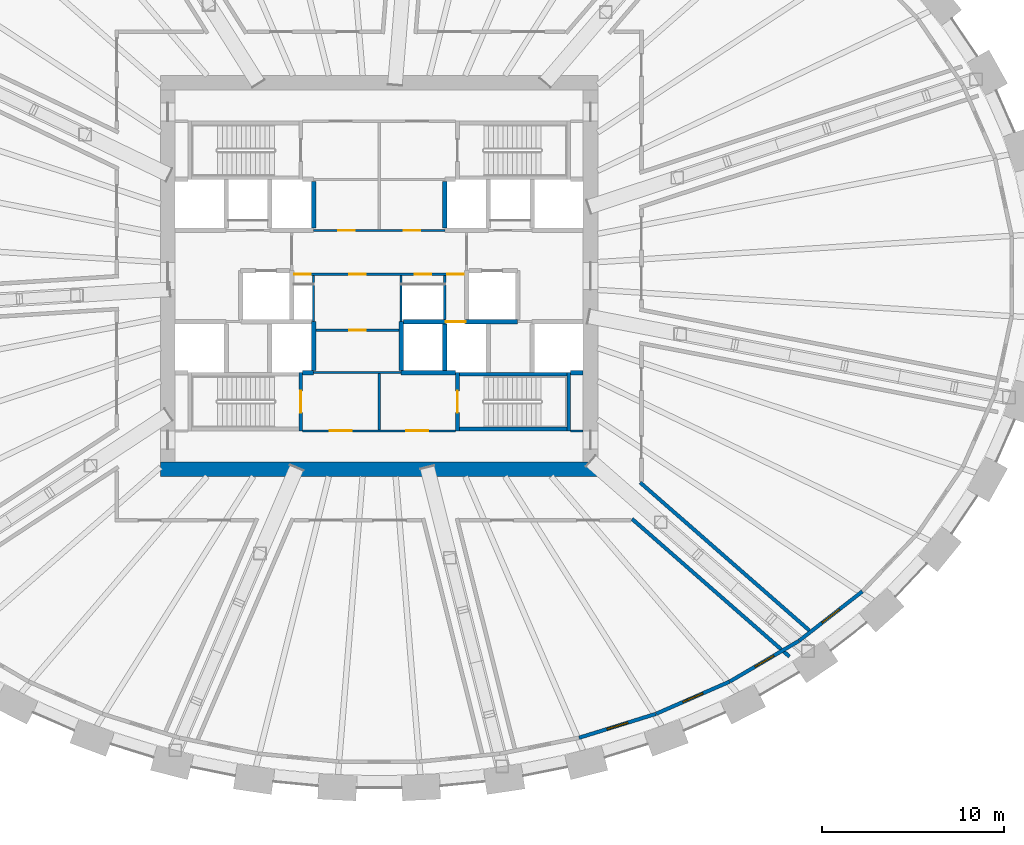
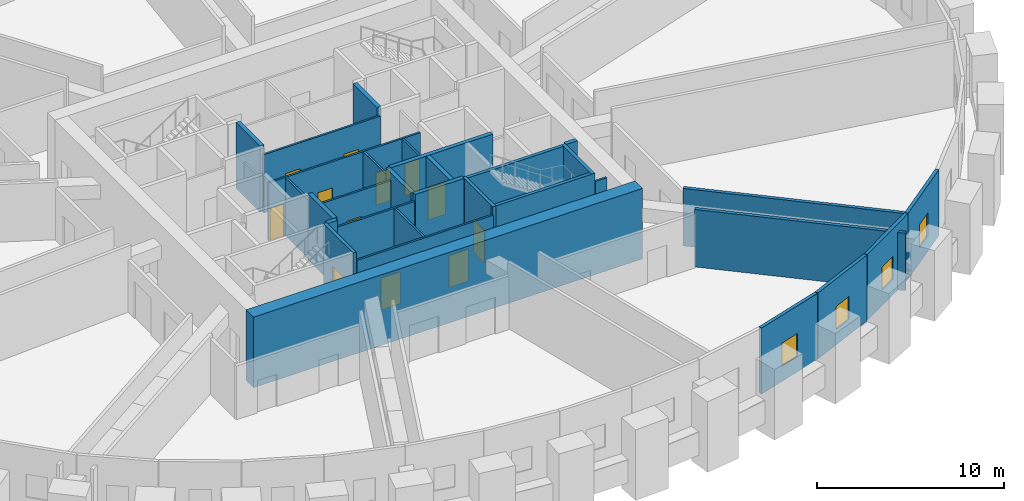
# One storey, part 8 of 13: 31 walls, 12 doors, 4 windows, 16 openings.
"""IFC4 building model written with IfcOpenShell, lengths in metres."""

from ifc_helpers import new_model, si_unit, direction, frame, frame_2d, origin, place, context, subcontext, project, spatial, rectangle, extrude, source, transform, mapped, material, layer, layer_set, type_object, element, fill, save


model = new_model("IFC4")

# Units and contexts
model_context = context("Model", 3, precision=1e-05, world=origin(), true_north=direction((0.0, 1.0)))
body_context = subcontext(model_context, "Body", "Model", "MODEL_VIEW")
ifc_project = project(units=[si_unit("LENGTHUNIT", "METRE"), si_unit("AREAUNIT", "SQUARE_METRE"), si_unit("VOLUMEUNIT", "CUBIC_METRE"), si_unit("PLANEANGLEUNIT", "RADIAN"), si_unit("MASSUNIT", "GRAM", prefix="KILO")], contexts=[model_context])

# Site, building, storey
site_placement = place(None, origin())
site = spatial("IfcSite", under=ifc_project, at=site_placement, CompositionType="ELEMENT")
building_placement = place(site_placement, origin())
building = spatial("IfcBuilding", under=site, at=building_placement, Name="Embergate Tower", CompositionType="ELEMENT")
storey_placement = place(building_placement, frame((0.0, 0.0, 195.0)))
storey = spatial("IfcBuildingStorey", under=building, at=storey_placement, Name="L44", CompositionType="ELEMENT", Elevation=195.0)

# Wall
ifc_material_1 = material(Name="Concrete C70", Category="concrete")
ifc_layer_1 = layer(ifc_material_1, 0.800048828125)
ifc_layer_set_1 = layer_set([ifc_layer_1], Name="Concrete C70")
wall_type_1 = type_object("IfcWallType", Name="Core outer wall C70 800", PredefinedType="SHEAR", material=ifc_layer_set_1)
shared_shape_1 = source(origin(), body_context, "Body", "SweptSolid", [
    extrude(rectangle(XDim=24.0, YDim=0.800048828125, at=frame_2d((12.0, 0.0))), origin(), (0.0, 0.0, 1.0), 4.60009765625),
])
wall_1_placement = place(storey_placement, frame((-12.0, -10.60009765625, -0.300048828125), z_axis=(0.0, 0.0, 1.0), x_axis=(1.0, 0.0, 0.0)))
element("IfcWall", 1, at=wall_1_placement, inside=storey, type_object=wall_type_1, Name="CW-L44-S", PredefinedType="SHEAR", context=body_context, shape_type="MappedRepresentation", body=[
    mapped(shared_shape_1, transform((0.0, 0.0, 0.0))),
])

# Wall, opening, window
ifc_material_2 = material(Name="Terracotta louvre cladding on insulated backing", Category="masonry")
ifc_layer_2 = layer(ifc_material_2, 0.199951171875)
ifc_layer_set_2 = layer_set([ifc_layer_2], Name="Terracotta louvre cladding on insulated backing")
wall_type_2 = type_object("IfcWallType", Name="Terracotta louvre wall", PredefinedType="SOLIDWALL", material=ifc_layer_set_2)
shared_shape_2 = source(origin(), body_context, "Body", "SweptSolid", [
    extrude(rectangle(XDim=4.391845703125, YDim=0.199951171875, at=frame_2d((2.19580078125, 0.0))), origin(), (0.0, 0.0, 1.0), 4.300048828125),
])
wall_2_placement = place(storey_placement, frame((26.52197265625, -17.316162109375, 0.0), z_axis=(0.0, 0.0, 1.0), x_axis=(-0.788318413973, -0.615267485075, 0.0)))
wall_2 = element("IfcWall", 2, at=wall_2_placement, inside=storey, type_object=wall_type_2, Name="Louvre wall 39", PredefinedType="SOLIDWALL", context=body_context, shape_type="MappedRepresentation", body=[
    mapped(shared_shape_2, transform((0.0, 0.0, 0.0))),
])
shared_shape_3 = source(origin(), body_context, "Body", "SweptSolid", [
    extrude(rectangle(XDim=1.199951171875, YDim=1.5, at=frame_2d((0.60009765625, 0.75))), frame((0.0, 0.10986328125, 0.0), z_axis=(0.0, -1.0, 0.0), x_axis=(1.0, 0.0, 0.0)), (0.0, 0.0, 1.0), 0.219970703125),
])
opening_1_placement = place(wall_2_placement, frame((1.595947265625, 0.0, 1.0)))
opening_1 = element("IfcOpeningElement", 3, at=opening_1_placement, cuts=wall_2, Name="Opening RW", PredefinedType="OPENING", context=body_context, shape_type="MappedRepresentation", body=[
    mapped(shared_shape_3, transform((0.0, 0.0, 0.0))),
])
ifc_material_3 = material(Name="Aluminium, thermally broken, triple glazed", Category="aluminium")
window_type = type_object("IfcWindowType", Name="Refuge operable window", PartitioningType="SINGLE_PANEL", PredefinedType="WINDOW", material=ifc_material_3)
shared_shape_4 = source(origin(), body_context, "Body", "SweptSolid", [
    extrude(rectangle(XDim=1.199951171875, YDim=1.5, at=frame_2d((0.60009765625, 0.75))), frame((0.0, 0.030029296875, 0.0), z_axis=(0.0, -1.0, 0.0), x_axis=(1.0, 0.0, 0.0)), (0.0, 0.0, 1.0), 0.06005859375),
])
window_1_placement = place(opening_1_placement, origin())
window_1 = element("IfcWindow", 4, at=window_1_placement, inside=storey, type_object=window_type, Name="Refuge window 39", OverallHeight=1.5, OverallWidth=1.199951171875, PartitioningType="SINGLE_PANEL", PredefinedType="WINDOW", context=body_context, shape_type="MappedRepresentation", body=[
    mapped(shared_shape_4, transform((0.0, 0.0, 0.0))),
])
fill(opening_1, window_1)

shared_shape_5 = source(origin(), body_context, "Body", "SweptSolid", [
    extrude(rectangle(XDim=4.398193359375, YDim=0.199951171875, at=frame_2d((2.19921875, 0.0))), origin(), (0.0, 0.0, 1.0), 4.300048828125),
])
wall_3_placement = place(storey_placement, frame((23.043212890625, -20.029541015625, 0.0), z_axis=(0.0, 0.0, 1.0), x_axis=(-0.862038363545, -0.506843032681, 0.0)))
wall_3 = element("IfcWall", 5, at=wall_3_placement, inside=storey, type_object=wall_type_2, Name="Louvre wall 38", PredefinedType="SOLIDWALL", context=body_context, shape_type="MappedRepresentation", body=[
    mapped(shared_shape_5, transform((0.0, 0.0, 0.0))),
])
opening_2_placement = place(wall_3_placement, frame((1.59912109375, 0.0, 1.0)))
opening_2 = element("IfcOpeningElement", 6, at=opening_2_placement, cuts=wall_3, Name="Opening RW", PredefinedType="OPENING", context=body_context, shape_type="MappedRepresentation", body=[
    mapped(shared_shape_3, transform((0.0, 0.0, 0.0))),
])
window_2_placement = place(opening_2_placement, origin())
window_2 = element("IfcWindow", 7, at=window_2_placement, inside=storey, type_object=window_type, Name="Refuge window 38", OverallHeight=1.5, OverallWidth=1.199951171875, PartitioningType="SINGLE_PANEL", PredefinedType="WINDOW", context=body_context, shape_type="MappedRepresentation", body=[
    mapped(shared_shape_4, transform((0.0, 0.0, 0.0))),
])
fill(opening_2, window_2)

shared_shape_6 = source(origin(), body_context, "Body", "SweptSolid", [
    extrude(rectangle(XDim=4.402587890625, YDim=0.199951171875, at=frame_2d((2.201171875, 0.0))), origin(), (0.0, 0.0, 1.0), 4.300048828125),
])
wall_4_placement = place(storey_placement, frame((19.23388671875, -22.267822265625, 0.0), z_axis=(0.0, 0.0, 1.0), x_axis=(-0.916226049161, -0.400661736181, 0.0)))
wall_4 = element("IfcWall", 8, at=wall_4_placement, inside=storey, type_object=wall_type_2, Name="Louvre wall 37", PredefinedType="SOLIDWALL", context=body_context, shape_type="MappedRepresentation", body=[
    mapped(shared_shape_6, transform((0.0, 0.0, 0.0))),
])
opening_3_placement = place(wall_4_placement, frame((1.601318359375, 0.0, 1.0)))
opening_3 = element("IfcOpeningElement", 9, at=opening_3_placement, cuts=wall_4, Name="Opening RW", PredefinedType="OPENING", context=body_context, shape_type="MappedRepresentation", body=[
    mapped(shared_shape_3, transform((0.0, 0.0, 0.0))),
])
window_3_placement = place(opening_3_placement, origin())
window_3 = element("IfcWindow", 10, at=window_3_placement, inside=storey, type_object=window_type, Name="Refuge window 37", OverallHeight=1.5, OverallWidth=1.199951171875, PartitioningType="SINGLE_PANEL", PredefinedType="WINDOW", context=body_context, shape_type="MappedRepresentation", body=[
    mapped(shared_shape_4, transform((0.0, 0.0, 0.0))),
])
fill(opening_3, window_3)

shared_shape_7 = source(origin(), body_context, "Body", "SweptSolid", [
    extrude(rectangle(XDim=4.406005859375, YDim=0.199951171875, at=frame_2d((2.203125, 0.0))), origin(), (0.0, 0.0, 1.0), 4.300048828125),
])
wall_5_placement = place(storey_placement, frame((15.181396484375, -24.038818359375, 0.0), z_axis=(0.0, 0.0, 1.0), x_axis=(-0.954774310251, -0.297331492589, 0.0)))
wall_5 = element("IfcWall", 11, at=wall_5_placement, inside=storey, type_object=wall_type_2, Name="Louvre wall 36", PredefinedType="SOLIDWALL", context=body_context, shape_type="MappedRepresentation", body=[
    mapped(shared_shape_7, transform((0.0, 0.0, 0.0))),
])
opening_4_placement = place(wall_5_placement, frame((1.60302734375, 0.0, 1.0)))
opening_4 = element("IfcOpeningElement", 12, at=opening_4_placement, cuts=wall_5, Name="Opening RW", PredefinedType="OPENING", context=body_context, shape_type="MappedRepresentation", body=[
    mapped(shared_shape_3, transform((0.0, 0.0, 0.0))),
])
window_4_placement = place(opening_4_placement, origin())
window_4 = element("IfcWindow", 13, at=window_4_placement, inside=storey, type_object=window_type, Name="Refuge window 36", OverallHeight=1.5, OverallWidth=1.199951171875, PartitioningType="SINGLE_PANEL", PredefinedType="WINDOW", context=body_context, shape_type="MappedRepresentation", body=[
    mapped(shared_shape_4, transform((0.0, 0.0, 0.0))),
])
fill(opening_4, window_4)

# Walls
ifc_material_4 = material(Name="Concrete C50", Category="concrete")
ifc_layer_3 = layer(ifc_material_4, 0.25)
ifc_layer_set_3 = layer_set([ifc_layer_3], Name="Concrete C50")
wall_type_3 = type_object("IfcWallType", Name="Hoistway wall reinforced concrete 250", PredefinedType="SHEAR", material=ifc_layer_set_3)
shared_shape_8 = source(origin(), body_context, "Body", "SweptSolid", [
    extrude(rectangle(XDim=2.675048828125, YDim=0.25, at=frame_2d((1.33740234375, 0.0))), origin(), (0.0, 0.0, 1.0), 4.300048828125),
])
for number, where, z_axis, x_axis, name in (
    (14, (-3.60009765625, -5.175048828125, 0.0), (0.0, 0.0, 1.0), (0.0, 1.0, 0.0), "HW-1 wall"),
    (15, (1.199951171875, -2.5, 0.0), (0.0, 0.0, 1.0), (0.0, -1.0, 0.0), "HW-1 wall"),
):
    element("IfcWall", number, at=place(storey_placement, frame(where, z_axis=z_axis, x_axis=x_axis)), inside=storey, type_object=wall_type_3, Name=name, PredefinedType="SHEAR", context=body_context, shape_type="MappedRepresentation", body=[
        mapped(shared_shape_8, transform((0.0, 0.0, 0.0))),
    ])
ifc_layer_4 = layer(ifc_material_4, 0.199951171875)
ifc_layer_set_4 = layer_set([ifc_layer_4], Name="Concrete C50")
wall_type_4 = type_object("IfcWallType", Name="Stair enclosure wall reinforced concrete 250", PredefinedType="SHEAR", material=ifc_layer_set_4)
shared_shape_9 = source(origin(), body_context, "Body", "SweptSolid", [
    extrude(rectangle(XDim=6.300048828125, YDim=0.199951171875, at=frame_2d((3.14990234375, 0.0))), origin(), (0.0, 0.0, 1.0), 4.300048828125),
])
for number, where, z_axis, x_axis, name in (
    (16, (4.199951171875, -5.39990234375, 0.0), (0.0, 0.0, 1.0), (1.0, 0.0, 0.0), "SE-1 wall"),
    (17, (4.199951171875, -8.39990234375, 0.0), (0.0, 0.0, 1.0), (1.0, 0.0, 0.0), "SE-1 wall"),
):
    element("IfcWall", number, at=place(storey_placement, frame(where, z_axis=z_axis, x_axis=x_axis)), inside=storey, type_object=wall_type_4, Name=name, PredefinedType="SHEAR", context=body_context, shape_type="MappedRepresentation", body=[
        mapped(shared_shape_9, transform((0.0, 0.0, 0.0))),
    ])
shared_shape_10 = source(origin(), body_context, "Body", "SweptSolid", [
    extrude(rectangle(XDim=2.550048828125, YDim=0.25, at=frame_2d((1.27490234375, 0.0))), origin(), (0.0, 0.0, 1.0), 4.300048828125),
])
for number, where, z_axis, x_axis, name in (
    (18, (-3.60009765625, 2.625, 0.0), (0.0, 0.0, 1.0), (0.0, 1.0, 0.0), "HW-1 wall"),
    (19, (3.60009765625, 5.175048828125, 0.0), (0.0, 0.0, 1.0), (0.0, -1.0, 0.0), "HW-1 wall"),
    (20, (3.60009765625, -5.175048828125, 0.0), (0.0, 0.0, 1.0), (0.0, 1.0, 0.0), "HW-1 wall"),
):
    element("IfcWall", number, at=place(storey_placement, frame(where, z_axis=z_axis, x_axis=x_axis)), inside=storey, type_object=wall_type_3, Name=name, PredefinedType="SHEAR", context=body_context, shape_type="MappedRepresentation", body=[
        mapped(shared_shape_10, transform((0.0, 0.0, 0.0))),
    ])

# Wall, opening, door
shared_shape_11 = source(origin(), body_context, "Body", "SweptSolid", [
    extrude(rectangle(XDim=3.199951171875, YDim=0.199951171875, at=frame_2d((1.60009765625, 0.0))), origin(), (0.0, 0.0, 1.0), 4.300048828125),
])
wall_6_placement = place(storey_placement, frame((-4.300048828125, -8.5, 0.0), z_axis=(0.0, 0.0, 1.0), x_axis=(0.0, 1.0, 0.0)))
wall_6 = element("IfcWall", 21, at=wall_6_placement, inside=storey, type_object=wall_type_4, Name="SE-1 wall", PredefinedType="SHEAR", context=body_context, shape_type="MappedRepresentation", body=[
    mapped(shared_shape_11, transform((0.0, 0.0, 0.0))),
])
shared_shape_12 = source(origin(), body_context, "Body", "SweptSolid", [
    extrude(rectangle(XDim=1.199951171875, YDim=2.10009765625, at=frame_2d((0.60009765625, 1.050048828125))), frame((0.0, 0.10986328125, 0.0), z_axis=(0.0, -1.0, 0.0), x_axis=(1.0, 0.0, 0.0)), (0.0, 0.0, 1.0), 0.219970703125),
])
opening_5_placement = place(wall_6_placement, frame((1.0, 0.0, 0.0)))
opening_5 = element("IfcOpeningElement", 22, at=opening_5_placement, cuts=wall_6, Name="Opening IF-2", PredefinedType="OPENING", context=body_context, shape_type="MappedRepresentation", body=[
    mapped(shared_shape_12, transform((0.0, 0.0, 0.0))),
])
ifc_material_5 = material(Name="Stair enclosure door 1200")
door_type_1 = type_object("IfcDoorType", Name="Stair enclosure door 1200", OperationType="SINGLE_SWING_LEFT", PredefinedType="DOOR", material=ifc_material_5)
shared_shape_13 = source(origin(), body_context, "Body", "SweptSolid", [
    extrude(rectangle(XDim=1.199951171875, YDim=2.10009765625, at=frame_2d((0.60009765625, 1.050048828125))), frame((0.0, 0.02490234375, 0.0), z_axis=(0.0, -1.0, 0.0), x_axis=(1.0, 0.0, 0.0)), (0.0, 0.0, 1.0), 0.050048828125),
])
door_1_placement = place(opening_5_placement, origin())
door_1 = element("IfcDoor", 23, at=door_1_placement, inside=storey, type_object=door_type_1, Name="IF-2 door", OperationType="SINGLE_SWING_RIGHT", OverallHeight=2.10009765625, OverallWidth=1.199951171875, PredefinedType="DOOR", context=body_context, shape_type="MappedRepresentation", body=[
    mapped(shared_shape_13, transform((0.0, 0.0, 0.0))),
])
fill(opening_5, door_1)

wall_7_placement = place(storey_placement, frame((4.300048828125, -5.300048828125, 0.0), z_axis=(0.0, 0.0, 1.0), x_axis=(0.0, -1.0, 0.0)))
wall_7 = element("IfcWall", 24, at=wall_7_placement, inside=storey, type_object=wall_type_4, Name="SE-1 wall", PredefinedType="SHEAR", context=body_context, shape_type="MappedRepresentation", body=[
    mapped(shared_shape_11, transform((0.0, 0.0, 0.0))),
])
opening_6_placement = place(wall_7_placement, frame((1.0, 0.0, 0.0)))
opening_6 = element("IfcOpeningElement", 25, at=opening_6_placement, cuts=wall_7, Name="Opening IF-2", PredefinedType="OPENING", context=body_context, shape_type="MappedRepresentation", body=[
    mapped(shared_shape_12, transform((0.0, 0.0, 0.0))),
])
door_2_placement = place(opening_6_placement, origin())
door_2 = element("IfcDoor", 26, at=door_2_placement, inside=storey, type_object=door_type_1, Name="IF-2 door", OperationType="SINGLE_SWING_RIGHT", OverallHeight=2.10009765625, OverallWidth=1.199951171875, PredefinedType="DOOR", context=body_context, shape_type="MappedRepresentation", body=[
    mapped(shared_shape_13, transform((0.0, 0.0, 0.0))),
])
fill(opening_6, door_2)

# Wall, openings, doors
ifc_material_6 = material(Name="Core partition blockwork 120")
ifc_layer_5 = layer(ifc_material_6, 0.1201171875)
ifc_layer_set_5 = layer_set([ifc_layer_5], Name="Core partition blockwork 120")
wall_type_5 = type_object("IfcWallType", Name="Core partition blockwork 120", PredefinedType="PARTITIONING", material=ifc_layer_set_5)
shared_shape_14 = source(origin(), body_context, "Body", "SweptSolid", [
    extrude(rectangle(XDim=8.39990234375, YDim=0.1201171875, at=frame_2d((4.199951171875, 0.0))), origin(), (0.0, 0.0, 1.0), 3.800048828125),
])
wall_8_placement = place(storey_placement, frame((-4.199951171875, -8.5, 0.0), z_axis=(0.0, 0.0, 1.0), x_axis=(1.0, 0.0, 0.0)))
wall_8 = element("IfcWall", 27, at=wall_8_placement, inside=storey, type_object=wall_type_5, Name="IP-3 wall", PredefinedType="PARTITIONING", context=body_context, shape_type="MappedRepresentation", body=[
    mapped(shared_shape_14, transform((0.0, 0.0, 0.0))),
])
shared_shape_15 = source(origin(), body_context, "Body", "SweptSolid", [
    extrude(rectangle(XDim=1.199951171875, YDim=2.10009765625, at=frame_2d((0.60009765625, 1.050048828125))), frame((0.0, 0.070068359375, 0.0), z_axis=(0.0, -1.0, 0.0), x_axis=(1.0, 0.0, 0.0)), (0.0, 0.0, 1.0), 0.14013671875),
])
opening_7_placement = place(wall_8_placement, frame((1.5, 0.0, 0.0)))
opening_7 = element("IfcOpeningElement", 28, at=opening_7_placement, cuts=wall_8, Name="Opening IF-3f", PredefinedType="OPENING", context=body_context, shape_type="MappedRepresentation", body=[
    mapped(shared_shape_15, transform((0.0, 0.0, 0.0))),
])
opening_8_placement = place(wall_8_placement, frame((5.699951171875, 0.0, 0.0)))
opening_8 = element("IfcOpeningElement", 29, at=opening_8_placement, cuts=wall_8, Name="Opening IF-3f", PredefinedType="OPENING", context=body_context, shape_type="MappedRepresentation", body=[
    mapped(shared_shape_15, transform((0.0, 0.0, 0.0))),
])
ifc_material_7 = material(Name="Lobby fire door pair 1200")
door_type_2 = type_object("IfcDoorType", Name="Lobby fire door pair 1200", OperationType="DOUBLE_DOOR_SINGLE_SWING", PredefinedType="DOOR", material=ifc_material_7)
door_3_placement = place(opening_7_placement, origin())
door_3 = element("IfcDoor", 30, at=door_3_placement, inside=storey, type_object=door_type_2, Name="IF-3 door", OperationType="DOUBLE_DOOR_SINGLE_SWING", OverallHeight=2.10009765625, OverallWidth=1.199951171875, PredefinedType="DOOR", context=body_context, shape_type="MappedRepresentation", body=[
    mapped(shared_shape_13, transform((0.0, 0.0, 0.0))),
])
fill(opening_7, door_3)
door_4_placement = place(opening_8_placement, origin())
door_4 = element("IfcDoor", 31, at=door_4_placement, inside=storey, type_object=door_type_2, Name="IF-3 door", OperationType="DOUBLE_DOOR_SINGLE_SWING", OverallHeight=2.10009765625, OverallWidth=1.199951171875, PredefinedType="DOOR", context=body_context, shape_type="MappedRepresentation", body=[
    mapped(shared_shape_13, transform((0.0, 0.0, 0.0))),
])
fill(opening_8, door_4)

# Wall
shared_shape_16 = source(origin(), body_context, "Body", "SweptSolid", [
    extrude(rectangle(XDim=0.599853515625, YDim=0.25, at=frame_2d((0.2998046875, 0.0))), origin(), (0.0, 0.0, 1.0), 4.300048828125),
])
wall_9_placement = place(storey_placement, frame((-4.199951171875, -5.300048828125, 0.0), z_axis=(0.0, 0.0, 1.0), x_axis=(1.0, 0.0, 0.0)))
element("IfcWall", 32, at=wall_9_placement, inside=storey, type_object=wall_type_3, Name="HW-1 wall", PredefinedType="SHEAR", context=body_context, shape_type="MappedRepresentation", body=[
    mapped(shared_shape_16, transform((0.0, 0.0, 0.0))),
])

# Wall, opening, door
shared_shape_17 = source(origin(), body_context, "Body", "SweptSolid", [
    extrude(rectangle(XDim=6.27294921875, YDim=0.25, at=frame_2d((3.136474609375, 0.0))), origin(), (0.0, 0.0, 1.0), 4.300048828125),
])
wall_10_placement = place(storey_placement, frame((7.597900390625, -2.5, 0.0), z_axis=(0.0, 0.0, 1.0), x_axis=(-1.0, 0.0, 0.0)))
wall_10 = element("IfcWall", 33, at=wall_10_placement, inside=storey, type_object=wall_type_3, Name="HW-1 wall", PredefinedType="SHEAR", context=body_context, shape_type="MappedRepresentation", body=[
    mapped(shared_shape_17, transform((0.0, 0.0, 0.0))),
])
shared_shape_18 = source(origin(), body_context, "Body", "SweptSolid", [
    extrude(rectangle(XDim=1.10009765625, YDim=2.10009765625, at=frame_2d((0.550048828125, 1.050048828125))), frame((0.0, 0.135009765625, 0.0), z_axis=(0.0, -1.0, 0.0), x_axis=(1.0, 0.0, 0.0)), (0.0, 0.0, 1.0), 0.27001953125),
])
opening_9_placement = place(wall_10_placement, frame((2.847900390625, 0.0, 0.0)))
opening_9 = element("IfcOpeningElement", 34, at=opening_9_placement, cuts=wall_10, Name="Opening LD", PredefinedType="OPENING", context=body_context, shape_type="MappedRepresentation", body=[
    mapped(shared_shape_18, transform((0.0, 0.0, 0.0))),
])
ifc_material_8 = material(Name="Landing door sliding 1100")
door_type_3 = type_object("IfcDoorType", Name="Landing door sliding 1100", OperationType="SLIDING_TO_LEFT", PredefinedType="DOOR", material=ifc_material_8)
shared_shape_19 = source(origin(), body_context, "Body", "SweptSolid", [
    extrude(rectangle(XDim=1.10009765625, YDim=2.10009765625, at=frame_2d((0.550048828125, 1.050048828125))), frame((0.0, 0.02490234375, 0.0), z_axis=(0.0, -1.0, 0.0), x_axis=(1.0, 0.0, 0.0)), (0.0, 0.0, 1.0), 0.050048828125),
])
door_5_placement = place(opening_9_placement, origin())
door_5 = element("IfcDoor", 35, at=door_5_placement, inside=storey, type_object=door_type_3, Name="LD door", OperationType="SLIDING_TO_LEFT", OverallHeight=2.10009765625, OverallWidth=1.10009765625, PredefinedType="DOOR", context=body_context, shape_type="MappedRepresentation", body=[
    mapped(shared_shape_19, transform((0.0, 0.0, 0.0))),
])
fill(opening_9, door_5)

# Wall
shared_shape_20 = source(origin(), body_context, "Body", "SweptSolid", [
    extrude(rectangle(XDim=3.0, YDim=0.25, at=frame_2d((1.5, 0.0))), origin(), (0.0, 0.0, 1.0), 4.300048828125),
])
wall_11_placement = place(storey_placement, frame((1.199951171875, -5.300048828125, 0.0), z_axis=(0.0, 0.0, 1.0), x_axis=(1.0, 0.0, 0.0)))
element("IfcWall", 36, at=wall_11_placement, inside=storey, type_object=wall_type_3, Name="HW-1 wall", PredefinedType="SHEAR", context=body_context, shape_type="MappedRepresentation", body=[
    mapped(shared_shape_20, transform((0.0, 0.0, 0.0))),
])

# Wall, openings, doors
shared_shape_21 = source(origin(), body_context, "Body", "SweptSolid", [
    extrude(rectangle(XDim=9.35009765625, YDim=0.1201171875, at=frame_2d((4.675048828125, 0.0))), origin(), (0.0, 0.0, 1.0), 3.800048828125),
])
wall_12_placement = place(storey_placement, frame((-4.675048828125, 0.10009765625, 0.0), z_axis=(0.0, 0.0, 1.0), x_axis=(1.0, 0.0, 0.0)))
wall_12 = element("IfcWall", 37, at=wall_12_placement, inside=storey, type_object=wall_type_5, Name="IP-3 wall", PredefinedType="PARTITIONING", context=body_context, shape_type="MappedRepresentation", body=[
    mapped(shared_shape_21, transform((0.0, 0.0, 0.0))),
])
shared_shape_22 = source(origin(), body_context, "Body", "SweptSolid", [
    extrude(rectangle(XDim=0.89990234375, YDim=2.10009765625, at=frame_2d((0.449951171875, 1.050048828125))), frame((0.0, 0.070068359375, 0.0), z_axis=(0.0, -1.0, 0.0), x_axis=(1.0, 0.0, 0.0)), (0.0, 0.0, 1.0), 0.14013671875),
])
opening_10_placement = place(wall_12_placement, frame((8.425048828125, 0.0, 0.0)))
opening_10 = element("IfcOpeningElement", 38, at=opening_10_placement, cuts=wall_12, Name="Opening IF-3c", PredefinedType="OPENING", context=body_context, shape_type="MappedRepresentation", body=[
    mapped(shared_shape_22, transform((0.0, 0.0, 0.0))),
])
opening_11_placement = place(wall_12_placement, frame((0.02490234375, 0.0, 0.0)))
opening_11 = element("IfcOpeningElement", 39, at=opening_11_placement, cuts=wall_12, Name="Opening ID-1", PredefinedType="OPENING", context=body_context, shape_type="MappedRepresentation", body=[
    mapped(shared_shape_22, transform((0.0, 0.0, 0.0))),
])
opening_12_placement = place(wall_12_placement, frame((6.625, 0.0, 0.0)))
opening_12 = element("IfcOpeningElement", 40, at=opening_12_placement, cuts=wall_12, Name="Opening ID-1", PredefinedType="OPENING", context=body_context, shape_type="MappedRepresentation", body=[
    mapped(shared_shape_22, transform((0.0, 0.0, 0.0))),
])
opening_13_placement = place(wall_12_placement, frame((3.02490234375, 0.0, 0.0)))
opening_13 = element("IfcOpeningElement", 41, at=opening_13_placement, cuts=wall_12, Name="Opening ID-1", PredefinedType="OPENING", context=body_context, shape_type="MappedRepresentation", body=[
    mapped(shared_shape_22, transform((0.0, 0.0, 0.0))),
])
ifc_material_9 = material(Name="Lobby fire door pair 900")
door_type_4 = type_object("IfcDoorType", Name="Lobby fire door pair 900", OperationType="DOUBLE_DOOR_SINGLE_SWING", PredefinedType="DOOR", material=ifc_material_9)
shared_shape_23 = source(origin(), body_context, "Body", "SweptSolid", [
    extrude(rectangle(XDim=0.89990234375, YDim=2.10009765625, at=frame_2d((0.449951171875, 1.050048828125))), frame((0.0, 0.02490234375, 0.0), z_axis=(0.0, -1.0, 0.0), x_axis=(1.0, 0.0, 0.0)), (0.0, 0.0, 1.0), 0.050048828125),
])
door_6_placement = place(opening_10_placement, origin())
door_6 = element("IfcDoor", 42, at=door_6_placement, inside=storey, type_object=door_type_4, Name="IF-3 door", OperationType="DOUBLE_DOOR_SINGLE_SWING", OverallHeight=2.10009765625, OverallWidth=0.89990234375, PredefinedType="DOOR", context=body_context, shape_type="MappedRepresentation", body=[
    mapped(shared_shape_23, transform((0.0, 0.0, 0.0))),
])
fill(opening_10, door_6)
ifc_material_10 = material(Name="Interior door 900")
door_type_5 = type_object("IfcDoorType", Name="Interior door 900", OperationType="SINGLE_SWING_LEFT", PredefinedType="DOOR", material=ifc_material_10)
door_7_placement = place(opening_11_placement, origin())
door_7 = element("IfcDoor", 43, at=door_7_placement, inside=storey, type_object=door_type_5, Name="ID-1 door", OperationType="SINGLE_SWING_RIGHT", OverallHeight=2.10009765625, OverallWidth=0.89990234375, PredefinedType="DOOR", context=body_context, shape_type="MappedRepresentation", body=[
    mapped(shared_shape_23, transform((0.0, 0.0, 0.0))),
])
fill(opening_11, door_7)
door_8_placement = place(opening_12_placement, origin())
door_8 = element("IfcDoor", 44, at=door_8_placement, inside=storey, type_object=door_type_5, Name="ID-1 door", OperationType="SINGLE_SWING_RIGHT", OverallHeight=2.10009765625, OverallWidth=0.89990234375, PredefinedType="DOOR", context=body_context, shape_type="MappedRepresentation", body=[
    mapped(shared_shape_23, transform((0.0, 0.0, 0.0))),
])
fill(opening_12, door_8)
door_9_placement = place(opening_13_placement, origin())
door_9 = element("IfcDoor", 45, at=door_9_placement, inside=storey, type_object=door_type_5, Name="ID-1 door", OperationType="SINGLE_SWING_RIGHT", OverallHeight=2.10009765625, OverallWidth=0.89990234375, PredefinedType="DOOR", context=body_context, shape_type="MappedRepresentation", body=[
    mapped(shared_shape_23, transform((0.0, 0.0, 0.0))),
])
fill(opening_13, door_9)

shared_shape_24 = source(origin(), body_context, "Body", "SweptSolid", [
    extrude(rectangle(XDim=7.2001953125, YDim=0.1201171875, at=frame_2d((3.60009765625, 0.0))), origin(), (0.0, 0.0, 1.0), 3.800048828125),
])
wall_13_placement = place(storey_placement, frame((3.60009765625, 2.5, 0.0), z_axis=(0.0, 0.0, 1.0), x_axis=(-1.0, 0.0, 0.0)))
wall_13 = element("IfcWall", 46, at=wall_13_placement, inside=storey, type_object=wall_type_5, Name="IP-3 wall", PredefinedType="PARTITIONING", context=body_context, shape_type="MappedRepresentation", body=[
    mapped(shared_shape_24, transform((0.0, 0.0, 0.0))),
])
opening_14_placement = place(wall_13_placement, frame((4.949951171875, 0.0, 0.0)))
opening_14 = element("IfcOpeningElement", 47, at=opening_14_placement, cuts=wall_13, Name="Opening ID-1", PredefinedType="OPENING", context=body_context, shape_type="MappedRepresentation", body=[
    mapped(shared_shape_22, transform((0.0, 0.0, 0.0))),
])
opening_15_placement = place(wall_13_placement, frame((1.35009765625, 0.0, 0.0)))
opening_15 = element("IfcOpeningElement", 48, at=opening_15_placement, cuts=wall_13, Name="Opening ID-1", PredefinedType="OPENING", context=body_context, shape_type="MappedRepresentation", body=[
    mapped(shared_shape_22, transform((0.0, 0.0, 0.0))),
])
door_10_placement = place(opening_14_placement, origin())
door_10 = element("IfcDoor", 49, at=door_10_placement, inside=storey, type_object=door_type_5, Name="ID-1 door", OperationType="SINGLE_SWING_LEFT", OverallHeight=2.10009765625, OverallWidth=0.89990234375, PredefinedType="DOOR", context=body_context, shape_type="MappedRepresentation", body=[
    mapped(shared_shape_23, transform((0.0, 0.0, 0.0))),
])
fill(opening_14, door_10)
door_11_placement = place(opening_15_placement, origin())
door_11 = element("IfcDoor", 50, at=door_11_placement, inside=storey, type_object=door_type_5, Name="ID-1 door", OperationType="SINGLE_SWING_LEFT", OverallHeight=2.10009765625, OverallWidth=0.89990234375, PredefinedType="DOOR", context=body_context, shape_type="MappedRepresentation", body=[
    mapped(shared_shape_23, transform((0.0, 0.0, 0.0))),
])
fill(opening_15, door_11)

# Walls
shared_shape_25 = source(origin(), body_context, "Body", "SweptSolid", [
    extrude(rectangle(XDim=2.5400390625, YDim=0.1201171875, at=frame_2d((1.27001953125, 0.0))), origin(), (0.0, 0.0, 1.0), 3.800048828125),
])
for number, where, z_axis, x_axis, name in (
    (51, (-3.60009765625, -2.5, 0.0), (0.0, 0.0, 1.0), (0.0, 1.0, 0.0), "IP-3 wall"),
    (52, (1.199951171875, 0.0400390625, 0.0), (0.0, 0.0, 1.0), (0.0, -1.0, 0.0), "IP-3 wall"),
):
    element("IfcWall", number, at=place(storey_placement, frame(where, z_axis=z_axis, x_axis=x_axis)), inside=storey, type_object=wall_type_5, Name=name, PredefinedType="PARTITIONING", context=body_context, shape_type="MappedRepresentation", body=[
        mapped(shared_shape_25, transform((0.0, 0.0, 0.0))),
    ])
shared_shape_26 = source(origin(), body_context, "Body", "SweptSolid", [
    extrude(rectangle(XDim=2.4150390625, YDim=0.1201171875, at=frame_2d((1.20751953125, 0.0))), origin(), (0.0, 0.0, 1.0), 3.800048828125),
])
wall_14_placement = place(storey_placement, frame((3.60009765625, -2.375, 0.0), z_axis=(0.0, 0.0, 1.0), x_axis=(0.0, 1.0, 0.0)))
element("IfcWall", 53, at=wall_14_placement, inside=storey, type_object=wall_type_5, Name="IP-3 wall", PredefinedType="PARTITIONING", context=body_context, shape_type="MappedRepresentation", body=[
    mapped(shared_shape_26, transform((0.0, 0.0, 0.0))),
])
shared_shape_27 = source(origin(), body_context, "Body", "SweptSolid", [
    extrude(rectangle(XDim=3.079833984375, YDim=0.1201171875, at=frame_2d((1.5400390625, 0.0))), origin(), (0.0, 0.0, 1.0), 3.800048828125),
])
wall_15_placement = place(storey_placement, frame((0.0, -8.43994140625, 0.0), z_axis=(0.0, 0.0, 1.0), x_axis=(0.0, 1.0, 0.0)))
element("IfcWall", 54, at=wall_15_placement, inside=storey, type_object=wall_type_5, Name="IP-3 wall", PredefinedType="PARTITIONING", context=body_context, shape_type="MappedRepresentation", body=[
    mapped(shared_shape_27, transform((0.0, 0.0, 0.0))),
])
shared_shape_28 = source(origin(), body_context, "Body", "SweptSolid", [
    extrude(rectangle(XDim=4.800048828125, YDim=0.1201171875, at=frame_2d((2.39990234375, 0.0))), origin(), (0.0, 0.0, 1.0), 3.800048828125),
])
wall_16_placement = place(storey_placement, frame((1.199951171875, -5.300048828125, 0.0), z_axis=(0.0, 0.0, 1.0), x_axis=(-1.0, 0.0, 0.0)))
element("IfcWall", 55, at=wall_16_placement, inside=storey, type_object=wall_type_5, Name="IP-3 wall", PredefinedType="PARTITIONING", context=body_context, shape_type="MappedRepresentation", body=[
    mapped(shared_shape_28, transform((0.0, 0.0, 0.0))),
])

# Wall, opening, door
shared_shape_29 = source(origin(), body_context, "Body", "SweptSolid", [
    extrude(rectangle(XDim=4.550048828125, YDim=0.1201171875, at=frame_2d((2.27490234375, 0.0))), origin(), (0.0, 0.0, 1.0), 3.800048828125),
])
wall_17_placement = place(storey_placement, frame((1.074951171875, -2.97802734375, 0.0), z_axis=(0.0, 0.0, 1.0), x_axis=(-1.0, 0.0, 0.0)))
wall_17 = element("IfcWall", 56, at=wall_17_placement, inside=storey, type_object=wall_type_5, Name="IP-3 wall", PredefinedType="PARTITIONING", context=body_context, shape_type="MappedRepresentation", body=[
    mapped(shared_shape_29, transform((0.0, 0.0, 0.0))),
])
opening_16_placement = place(wall_17_placement, frame((1.824951171875, 0.0, 0.0)))
opening_16 = element("IfcOpeningElement", 57, at=opening_16_placement, cuts=wall_17, Name="Opening ID-1", PredefinedType="OPENING", context=body_context, shape_type="MappedRepresentation", body=[
    mapped(shared_shape_22, transform((0.0, 0.0, 0.0))),
])
door_12_placement = place(opening_16_placement, origin())
door_12 = element("IfcDoor", 58, at=door_12_placement, inside=storey, type_object=door_type_5, Name="ID-1 door", OperationType="SINGLE_SWING_RIGHT", OverallHeight=2.10009765625, OverallWidth=0.89990234375, PredefinedType="DOOR", context=body_context, shape_type="MappedRepresentation", body=[
    mapped(shared_shape_23, transform((0.0, 0.0, 0.0))),
])
fill(opening_16, door_12)

# Walls
shared_shape_30 = source(origin(), body_context, "Body", "SweptSolid", [
    extrude(rectangle(XDim=3.196044921875, YDim=0.199951171875, at=frame_2d((1.59814453125, 0.0))), origin(), (0.0, 0.0, 1.0), 4.300048828125),
])
wall_18_placement = place(storey_placement, frame((10.39990234375, -8.498046875, 0.0), z_axis=(0.0, 0.0, 1.0), x_axis=(0.0, 1.0, 0.0)))
element("IfcWall", 59, at=wall_18_placement, inside=storey, type_object=wall_type_4, Name="SE-1 wall", PredefinedType="SHEAR", context=body_context, shape_type="MappedRepresentation", body=[
    mapped(shared_shape_30, transform((0.0, 0.0, 0.0))),
])
shared_shape_31 = source(origin(), body_context, "Body", "SweptSolid", [
    extrude(rectangle(XDim=0.697998046875, YDim=0.25, at=frame_2d((0.34912109375, 0.0))), origin(), (0.0, 0.0, 1.0), 4.300048828125),
])
wall_19_placement = place(storey_placement, frame((10.501953125, -5.300048828125, 0.0), z_axis=(0.0, 0.0, 1.0), x_axis=(1.0, 0.0, 0.0)))
element("IfcWall", 60, at=wall_19_placement, inside=storey, type_object=wall_type_3, Name="HW-1 wall", PredefinedType="SHEAR", context=body_context, shape_type="MappedRepresentation", body=[
    mapped(shared_shape_31, transform((0.0, 0.0, 0.0))),
])
shared_shape_32 = source(origin(), body_context, "Body", "SweptSolid", [
    extrude(rectangle(XDim=0.697998046875, YDim=0.1201171875, at=frame_2d((0.34912109375, 0.0))), origin(), (0.0, 0.0, 1.0), 3.800048828125),
])
wall_20_placement = place(storey_placement, frame((11.199951171875, -8.5, 0.0), z_axis=(0.0, 0.0, 1.0), x_axis=(-1.0, 0.0, 0.0)))
element("IfcWall", 61, at=wall_20_placement, inside=storey, type_object=wall_type_5, Name="IP-3 wall", PredefinedType="PARTITIONING", context=body_context, shape_type="MappedRepresentation", body=[
    mapped(shared_shape_32, transform((0.0, 0.0, 0.0))),
])
ifc_material_11 = material(Name="Blockwork, plastered", Category="masonry")
ifc_layer_6 = layer(ifc_material_11, 0.199951171875)
ifc_layer_set_6 = layer_set([ifc_layer_6], Name="Blockwork, plastered")
wall_type_6 = type_object("IfcWallType", Name="Fire partition wall 200 block", PredefinedType="PARTITIONING", material=ifc_layer_set_6)
shared_shape_33 = source(origin(), body_context, "Body", "SweptSolid", [
    extrude(rectangle(XDim=11.47705078125, YDim=0.199951171875, at=frame_2d((5.738525390625, 0.0))), origin(), (0.0, 0.0, 1.0), 3.75),
])
wall_21_placement = place(storey_placement, frame((13.882080078125, -13.333984375, 0.0), z_axis=(0.0, 0.0, 1.0), x_axis=(0.75271240586, -0.65834947715, 0.0)))
element("IfcWall", 62, at=wall_21_placement, inside=storey, type_object=wall_type_6, Name="Partition 027", PredefinedType="PARTITIONING", context=body_context, shape_type="MappedRepresentation", body=[
    mapped(shared_shape_33, transform((0.0, 0.0, 0.0))),
])
shared_shape_34 = source(origin(), body_context, "Body", "SweptSolid", [
    extrude(rectangle(XDim=12.33837890625, YDim=0.199951171875, at=frame_2d((6.169189453125, 0.0))), origin(), (0.0, 0.0, 1.0), 3.75),
])
wall_22_placement = place(storey_placement, frame((23.612060546875, -19.455078125, 0.0), z_axis=(0.0, 0.0, 1.0), x_axis=(-0.752704159046, 0.658358905883, 0.0)))
element("IfcWall", 63, at=wall_22_placement, inside=storey, type_object=wall_type_6, Name="Partition 034", PredefinedType="PARTITIONING", context=body_context, shape_type="MappedRepresentation", body=[
    mapped(shared_shape_34, transform((0.0, 0.0, 0.0))),
])

save(model, "model.ifc")
